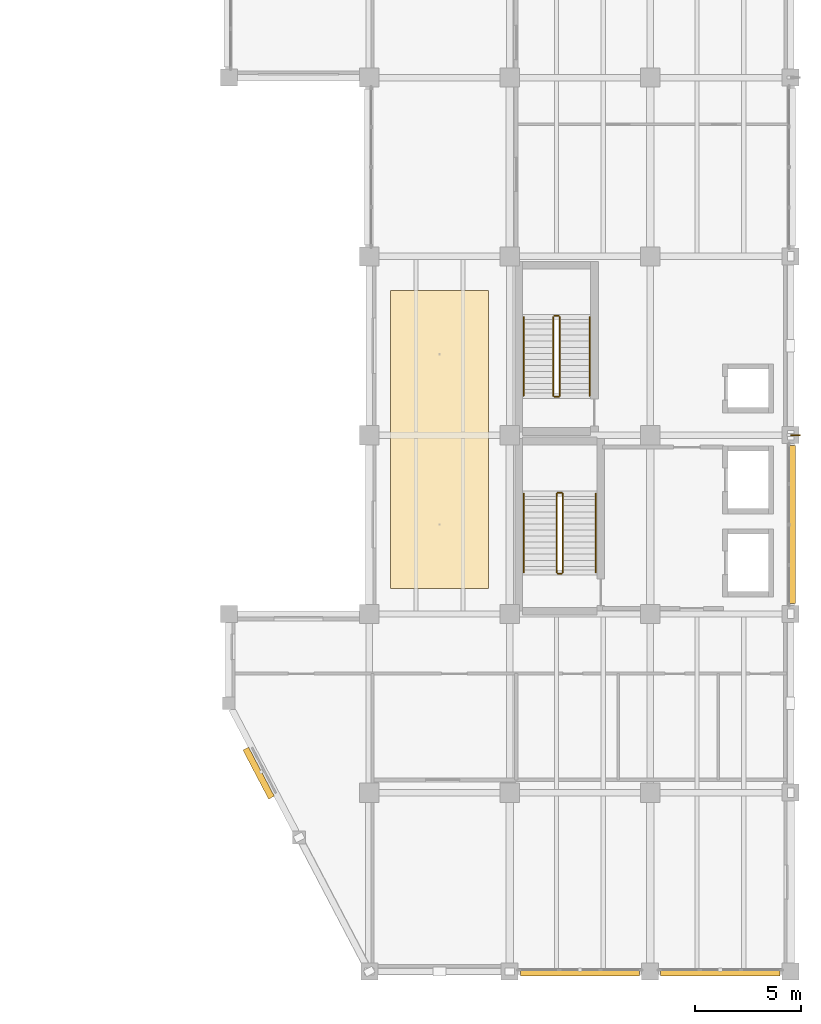
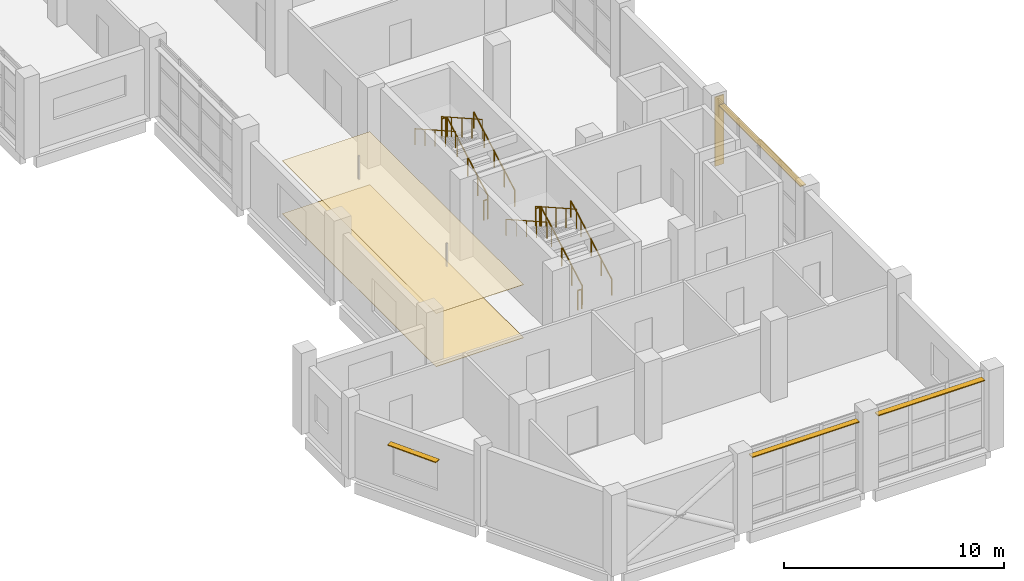
# One storey, part 72 of 76: 12 railings, 5 shading devices, 2 coverings.
"""IFC4 building model written with IfcOpenShell, lengths in metres."""

from ifc_helpers import new_model, si_unit, direction, frame, origin, origin_2d, place, context, subcontext, project, spatial, polyline, rectangle, circle, outline, extrude, material, layer, layer_set, type_object, element, save


model = new_model("IFC4")

# Units and contexts
model_context = context("Model", 3, precision=1e-05, world=origin(), true_north=direction((0.0, 1.0)))
body_context = subcontext(model_context, "Body", "Model", "MODEL_VIEW")
ifc_project = project(units=[si_unit("LENGTHUNIT", "METRE"), si_unit("AREAUNIT", "SQUARE_METRE"), si_unit("VOLUMEUNIT", "CUBIC_METRE"), si_unit("PLANEANGLEUNIT", "RADIAN"), si_unit("MASSUNIT", "GRAM", prefix="KILO")], contexts=[model_context])

# Site, building, storey
site_placement = place(None, origin())
site = spatial("IfcSite", under=ifc_project, at=site_placement, CompositionType="ELEMENT")
building_placement = place(site_placement, origin())
building = spatial("IfcBuilding", under=site, at=building_placement, Name="Qaldarim Faculty of Natural and Applied Sciences", CompositionType="ELEMENT")
storey_placement = place(building_placement, frame((0.0, 0.0, 9.89990234375)))
storey = spatial("IfcBuildingStorey", under=building, at=storey_placement, Name="L02", CompositionType="ELEMENT", Elevation=9.89990234375)

# Covering
ifc_material_1 = material(Name="Acoustic mineral fibre")
ifc_layer_1 = layer(ifc_material_1, 0.02001953125)
ifc_layer_set_1 = layer_set([ifc_layer_1], Name="Acoustic mineral fibre")
covering_type_1 = type_object("IfcCoveringType", Name="AcousticMineralCeiling-20", PredefinedType="CEILING", material=ifc_layer_set_1)
covering_1_placement = place(storey_placement, frame((0.0, 0.0, 2.9501953125)))
element("IfcCovering", 1, at=covering_1_placement, inside=storey, type_object=covering_type_1, Name="Acoustic corridor ceiling L02", PredefinedType="CEILING", context=body_context, shape_type="SweptSolid", body=[
    extrude(outline(polyline([(159.39990234375, 18.0), (164.0, 18.0), (164.0, 32.0), (159.39990234375, 32.0), (159.39990234375, 18.0)])), origin(), (0.0, 0.0, 1.0), 0.02001953125),
])

# Railings
ifc_material_2 = material(Name="Architectural stainless steel 316", Category="steel")
railing_type_1 = type_object("IfcRailingType", Name="GuardBalustrade-1100", PredefinedType="BALUSTRADE", material=ifc_material_2)
railing_1_placement = place(storey_placement, frame((167.5, 18.75, 0.16015625)))
element("IfcRailing", 2, at=railing_1_placement, inside=storey, type_object=railing_type_1, Name="ST-A1 L02 stair well guard 1", PredefinedType="BALUSTRADE", context=body_context, shape_type="SweptSolid", body=[
    extrude(circle(Radius=0.02392578125, at=origin_2d()), frame((0.0, 0.0, 1.076171875), z_axis=(0.0, 0.870998619023, 0.491285462496), x_axis=(-1.0, 0.0, 0.0)), (0.0, 0.0, 1.0), 4.25390625),
    extrude(circle(Radius=0.02099609375, at=origin_2d()), origin(), (0.0, 0.0, 1.0), 1.052001953125),
    extrude(circle(Radius=0.02099609375, at=origin_2d()), frame((0.0, 0.92626953125, 0.5224609375)), (0.0, 0.0, 1.0), 1.052001953125),
    extrude(circle(Radius=0.02099609375, at=origin_2d()), frame((0.0, 1.8525390625, 1.044921875)), (0.0, 0.0, 1.0), 1.052001953125),
    extrude(circle(Radius=0.02099609375, at=origin_2d()), frame((0.0, 2.77880859375, 1.5673828125)), (0.0, 0.0, 1.0), 1.052001953125),
    extrude(circle(Radius=0.02099609375, at=origin_2d()), frame((0.0, 3.705078125, 2.08984375)), (0.0, 0.0, 1.0), 1.052001953125),
])
railing_2_placement = place(storey_placement, frame((167.449951171875, 22.5048828125, 2.25)))
element("IfcRailing", 3, at=railing_2_placement, inside=storey, type_object=railing_type_1, Name="ST-A1 L02 stair well guard 2", PredefinedType="BALUSTRADE", context=body_context, shape_type="SweptSolid", body=[
    extrude(circle(Radius=0.02392578125, at=origin_2d()), frame((0.0, 0.0, 1.076171875), z_axis=(-1.0, 0.0, 0.0), x_axis=(0.0, -1.0, 0.0)), (0.0, 0.0, 1.0), 0.199951171875),
    extrude(circle(Radius=0.02099609375, at=origin_2d()), origin(), (0.0, 0.0, 1.0), 1.052001953125),
    extrude(circle(Radius=0.02099609375, at=origin_2d()), frame((-0.199951171875, 0.0, 0.0)), (0.0, 0.0, 1.0), 1.052001953125),
])
railing_3_placement = place(storey_placement, frame((167.199951171875, 22.455078125, 2.41015625)))
element("IfcRailing", 4, at=railing_3_placement, inside=storey, type_object=railing_type_1, Name="ST-A1 L02 stair well guard 3", PredefinedType="BALUSTRADE", context=body_context, shape_type="SweptSolid", body=[
    extrude(circle(Radius=0.02392578125, at=origin_2d()), frame((0.0, 0.0, 1.076171875), z_axis=(0.0, -0.870998619023, 0.491285462496), x_axis=(1.0, 0.0, 0.0)), (0.0, 0.0, 1.0), 4.25390625),
    extrude(circle(Radius=0.02099609375, at=origin_2d()), origin(), (0.0, 0.0, 1.0), 1.052001953125),
    extrude(circle(Radius=0.02099609375, at=origin_2d()), frame((0.0, -0.92626953125, 0.5224609375)), (0.0, 0.0, 1.0), 1.052001953125),
    extrude(circle(Radius=0.02099609375, at=origin_2d()), frame((0.0, -1.8525390625, 1.044921875)), (0.0, 0.0, 1.0), 1.052001953125),
    extrude(circle(Radius=0.02099609375, at=origin_2d()), frame((0.0, -2.77880859375, 1.5673828125)), (0.0, 0.0, 1.0), 1.052001953125),
    extrude(circle(Radius=0.02099609375, at=origin_2d()), frame((0.0, -3.705078125, 2.08984375)), (0.0, 0.0, 1.0), 1.052001953125),
])
railing_4_placement = place(storey_placement, frame((167.449951171875, 18.699951171875, 0.0)))
element("IfcRailing", 5, at=railing_4_placement, inside=storey, type_object=railing_type_1, Name="ST-A1 L02 stair well guard 4", PredefinedType="BALUSTRADE", context=body_context, shape_type="SweptSolid", body=[
    extrude(circle(Radius=0.02392578125, at=origin_2d()), frame((0.0, 0.0, 1.076171875), z_axis=(-1.0, 0.0, 0.0), x_axis=(0.0, -1.0, 0.0)), (0.0, 0.0, 1.0), 0.199951171875),
    extrude(circle(Radius=0.02099609375, at=origin_2d()), origin(), (0.0, 0.0, 1.0), 1.052001953125),
    extrude(circle(Radius=0.02099609375, at=origin_2d()), frame((-0.199951171875, 0.0, 0.0)), (0.0, 0.0, 1.0), 1.052001953125),
])
railing_5_placement = place(storey_placement, frame((167.35009765625, 27.050048828125, 0.16015625)))
element("IfcRailing", 6, at=railing_5_placement, inside=storey, type_object=railing_type_1, Name="ST-A2 L02 stair well guard 1", PredefinedType="BALUSTRADE", context=body_context, shape_type="SweptSolid", body=[
    extrude(circle(Radius=0.02392578125, at=origin_2d()), frame((0.0, 0.0, 1.076171875), z_axis=(0.0, 0.87098476549, 0.491310022576), x_axis=(-1.0, 0.0, 0.0)), (0.0, 0.0, 1.0), 4.253662109375),
    extrude(circle(Radius=0.02099609375, at=origin_2d()), origin(), (0.0, 0.0, 1.0), 1.052001953125),
    extrude(circle(Radius=0.02099609375, at=origin_2d()), frame((0.0, 0.92626953125, 0.5224609375)), (0.0, 0.0, 1.0), 1.052001953125),
    extrude(circle(Radius=0.02099609375, at=origin_2d()), frame((0.0, 1.8525390625, 1.044921875)), (0.0, 0.0, 1.0), 1.052001953125),
    extrude(circle(Radius=0.02099609375, at=origin_2d()), frame((0.0, 2.778564453125, 1.5673828125)), (0.0, 0.0, 1.0), 1.052001953125),
    extrude(circle(Radius=0.02099609375, at=origin_2d()), frame((0.0, 3.704833984375, 2.08984375)), (0.0, 0.0, 1.0), 1.052001953125),
])
railing_6_placement = place(storey_placement, frame((167.300048828125, 30.804931640625, 2.25)))
element("IfcRailing", 7, at=railing_6_placement, inside=storey, type_object=railing_type_1, Name="ST-A2 L02 stair well guard 2", PredefinedType="BALUSTRADE", context=body_context, shape_type="SweptSolid", body=[
    extrude(circle(Radius=0.02392578125, at=origin_2d()), frame((0.0, 0.0, 1.076171875), z_axis=(-1.0, 0.0, 0.0), x_axis=(0.0, -1.0, 0.0)), (0.0, 0.0, 1.0), 0.199951171875),
    extrude(circle(Radius=0.02099609375, at=origin_2d()), origin(), (0.0, 0.0, 1.0), 1.052001953125),
    extrude(circle(Radius=0.02099609375, at=origin_2d()), frame((-0.199951171875, 0.0, 0.0)), (0.0, 0.0, 1.0), 1.052001953125),
])
railing_7_placement = place(storey_placement, frame((167.050048828125, 30.7548828125, 2.41015625)))
element("IfcRailing", 8, at=railing_7_placement, inside=storey, type_object=railing_type_1, Name="ST-A2 L02 stair well guard 3", PredefinedType="BALUSTRADE", context=body_context, shape_type="SweptSolid", body=[
    extrude(circle(Radius=0.02392578125, at=origin_2d()), frame((0.0, 0.0, 1.076171875), z_axis=(0.0, -0.87098476549, 0.491310022576), x_axis=(1.0, 0.0, 0.0)), (0.0, 0.0, 1.0), 4.253662109375),
    extrude(circle(Radius=0.02099609375, at=origin_2d()), origin(), (0.0, 0.0, 1.0), 1.052001953125),
    extrude(circle(Radius=0.02099609375, at=origin_2d()), frame((0.0, -0.92626953125, 0.5224609375)), (0.0, 0.0, 1.0), 1.052001953125),
    extrude(circle(Radius=0.02099609375, at=origin_2d()), frame((0.0, -1.8525390625, 1.044921875)), (0.0, 0.0, 1.0), 1.052001953125),
    extrude(circle(Radius=0.02099609375, at=origin_2d()), frame((0.0, -2.778564453125, 1.5673828125)), (0.0, 0.0, 1.0), 1.052001953125),
    extrude(circle(Radius=0.02099609375, at=origin_2d()), frame((0.0, -3.704833984375, 2.08984375)), (0.0, 0.0, 1.0), 1.052001953125),
])
railing_8_placement = place(storey_placement, frame((167.300048828125, 27.0, 0.0)))
element("IfcRailing", 9, at=railing_8_placement, inside=storey, type_object=railing_type_1, Name="ST-A2 L02 stair well guard 4", PredefinedType="BALUSTRADE", context=body_context, shape_type="SweptSolid", body=[
    extrude(circle(Radius=0.02392578125, at=origin_2d()), frame((0.0, 0.0, 1.076171875), z_axis=(-1.0, 0.0, 0.0), x_axis=(0.0, -1.0, 0.0)), (0.0, 0.0, 1.0), 0.199951171875),
    extrude(circle(Radius=0.02099609375, at=origin_2d()), origin(), (0.0, 0.0, 1.0), 1.052001953125),
    extrude(circle(Radius=0.02099609375, at=origin_2d()), frame((-0.199951171875, 0.0, 0.0)), (0.0, 0.0, 1.0), 1.052001953125),
])

# Shading devices
ifc_material_3 = material(Name="Champagne anodised aluminium AW-6063", Category="aluminium")
ifc_layer_2 = layer(ifc_material_3, 0.050048828125)
ifc_layer_set_2 = layer_set([ifc_layer_2], Name="Champagne anodised aluminium AW-6063")
shading_device_type_1 = type_object("IfcShadingDeviceType", Name="SolarLouvre-ALU300x50", PredefinedType="JALOUSIE", material=ifc_layer_set_2)
for number, where, z_axis, x_axis, name in (
    (10, (168.300048828125, -0.070068359375, 3.865234375), (0.0, 0.0, 1.0), (1.0, 0.0, 0.0), "Horizontal solar louvre L02 S X26Y01"),
    (11, (174.89990234375, -0.070068359375, 3.865234375), (0.0, 0.0, 1.0), (1.0, 0.0, 0.0), "Horizontal solar louvre L02 S X27Y01"),
):
    element("IfcShadingDevice", number, at=place(storey_placement, frame(where, z_axis=z_axis, x_axis=x_axis)), inside=storey, type_object=shading_device_type_1, Name=name, PredefinedType="JALOUSIE", context=body_context, shape_type="SweptSolid", body=[
        extrude(rectangle(XDim=5.610107421875, YDim=0.300048828125, at=origin_2d()), origin(), (0.0, 0.0, 1.0), 0.050048828125),
    ])
shading_device_1_placement = place(storey_placement, frame((178.27001953125, 21.0, 3.865234375), z_axis=(0.0, 0.0, 1.0), x_axis=(0.0, 1.0, 0.0)))
element("IfcShadingDevice", 12, at=shading_device_1_placement, inside=storey, type_object=shading_device_type_1, Name="Horizontal solar louvre L02 E X27Y03", PredefinedType="JALOUSIE", context=body_context, shape_type="SweptSolid", body=[
    extrude(rectangle(XDim=7.409912109375, YDim=0.300048828125, at=origin_2d()), origin(), (0.0, 0.0, 1.0), 0.050048828125),
])
shading_device_2_placement = place(storey_placement, frame((153.199951171875, 9.320068359375, 2.67529296875), z_axis=(0.0, 0.0, 1.0), x_axis=(0.46447113214, -0.885588260654, 0.0)))
element("IfcShadingDevice", 13, at=shading_device_2_placement, inside=storey, type_object=shading_device_type_1, Name="Oblique facade horizontal solar louvre SHD-OBL-SW-L02-1", PredefinedType="JALOUSIE", context=body_context, shape_type="SweptSolid", body=[
    extrude(rectangle(XDim=2.60009765625, YDim=0.300048828125, at=origin_2d()), origin(), (0.0, 0.0, 1.0), 0.050048828125),
])

# Railings
railing_type_2 = type_object("IfcRailingType", Name="StairHandrail-920", PredefinedType="HANDRAIL", material=ifc_material_2)
railing_9_placement = place(storey_placement, frame((169.050048828125, 18.75, 0.16015625)))
element("IfcRailing", 14, at=railing_9_placement, inside=storey, type_object=railing_type_2, Name="ST-A1 L02 stair handrail 1", PredefinedType="HANDRAIL", context=body_context, shape_type="SweptSolid", body=[
    extrude(circle(Radius=0.02392578125, at=origin_2d()), frame((0.0, 0.0, 0.89599609375), z_axis=(0.0, 0.870998619023, 0.491285462496), x_axis=(-1.0, 0.0, 0.0)), (0.0, 0.0, 1.0), 4.25390625),
    extrude(circle(Radius=0.02099609375, at=origin_2d()), origin(), (0.0, 0.0, 1.0), 0.871826171875),
    extrude(circle(Radius=0.02099609375, at=origin_2d()), frame((0.0, 0.92626953125, 0.5224609375)), (0.0, 0.0, 1.0), 0.871826171875),
    extrude(circle(Radius=0.02099609375, at=origin_2d()), frame((0.0, 1.8525390625, 1.044921875)), (0.0, 0.0, 1.0), 0.871826171875),
    extrude(circle(Radius=0.02099609375, at=origin_2d()), frame((0.0, 2.77880859375, 1.5673828125)), (0.0, 0.0, 1.0), 0.871826171875),
    extrude(circle(Radius=0.02099609375, at=origin_2d()), frame((0.0, 3.705078125, 2.08984375)), (0.0, 0.0, 1.0), 0.871826171875),
])
railing_10_placement = place(storey_placement, frame((165.64990234375, 22.455078125, 2.41015625)))
element("IfcRailing", 15, at=railing_10_placement, inside=storey, type_object=railing_type_2, Name="ST-A1 L02 stair handrail 2", PredefinedType="HANDRAIL", context=body_context, shape_type="SweptSolid", body=[
    extrude(circle(Radius=0.02392578125, at=origin_2d()), frame((0.0, 0.0, 0.89599609375), z_axis=(0.0, -0.870998619023, 0.491285462496), x_axis=(1.0, 0.0, 0.0)), (0.0, 0.0, 1.0), 4.25390625),
    extrude(circle(Radius=0.02099609375, at=origin_2d()), origin(), (0.0, 0.0, 1.0), 0.871826171875),
    extrude(circle(Radius=0.02099609375, at=origin_2d()), frame((0.0, -0.92626953125, 0.5224609375)), (0.0, 0.0, 1.0), 0.871826171875),
    extrude(circle(Radius=0.02099609375, at=origin_2d()), frame((0.0, -1.8525390625, 1.044921875)), (0.0, 0.0, 1.0), 0.871826171875),
    extrude(circle(Radius=0.02099609375, at=origin_2d()), frame((0.0, -2.77880859375, 1.5673828125)), (0.0, 0.0, 1.0), 0.871826171875),
    extrude(circle(Radius=0.02099609375, at=origin_2d()), frame((0.0, -3.705078125, 2.08984375)), (0.0, 0.0, 1.0), 0.871826171875),
])
railing_11_placement = place(storey_placement, frame((168.75, 27.050048828125, 0.16015625)))
element("IfcRailing", 16, at=railing_11_placement, inside=storey, type_object=railing_type_2, Name="ST-A2 L02 stair handrail 1", PredefinedType="HANDRAIL", context=body_context, shape_type="SweptSolid", body=[
    extrude(circle(Radius=0.02392578125, at=origin_2d()), frame((0.0, 0.0, 0.89599609375), z_axis=(0.0, 0.87098476549, 0.491310022576), x_axis=(-1.0, 0.0, 0.0)), (0.0, 0.0, 1.0), 4.253662109375),
    extrude(circle(Radius=0.02099609375, at=origin_2d()), origin(), (0.0, 0.0, 1.0), 0.871826171875),
    extrude(circle(Radius=0.02099609375, at=origin_2d()), frame((0.0, 0.92626953125, 0.5224609375)), (0.0, 0.0, 1.0), 0.871826171875),
    extrude(circle(Radius=0.02099609375, at=origin_2d()), frame((0.0, 1.8525390625, 1.044921875)), (0.0, 0.0, 1.0), 0.871826171875),
    extrude(circle(Radius=0.02099609375, at=origin_2d()), frame((0.0, 2.778564453125, 1.5673828125)), (0.0, 0.0, 1.0), 0.871826171875),
    extrude(circle(Radius=0.02099609375, at=origin_2d()), frame((0.0, 3.704833984375, 2.08984375)), (0.0, 0.0, 1.0), 0.871826171875),
])
railing_12_placement = place(storey_placement, frame((165.64990234375, 30.7548828125, 2.41015625)))
element("IfcRailing", 17, at=railing_12_placement, inside=storey, type_object=railing_type_2, Name="ST-A2 L02 stair handrail 2", PredefinedType="HANDRAIL", context=body_context, shape_type="SweptSolid", body=[
    extrude(circle(Radius=0.02392578125, at=origin_2d()), frame((0.0, 0.0, 0.89599609375), z_axis=(0.0, -0.87098476549, 0.491310022576), x_axis=(1.0, 0.0, 0.0)), (0.0, 0.0, 1.0), 4.253662109375),
    extrude(circle(Radius=0.02099609375, at=origin_2d()), origin(), (0.0, 0.0, 1.0), 0.871826171875),
    extrude(circle(Radius=0.02099609375, at=origin_2d()), frame((0.0, -0.92626953125, 0.5224609375)), (0.0, 0.0, 1.0), 0.871826171875),
    extrude(circle(Radius=0.02099609375, at=origin_2d()), frame((0.0, -1.8525390625, 1.044921875)), (0.0, 0.0, 1.0), 0.871826171875),
    extrude(circle(Radius=0.02099609375, at=origin_2d()), frame((0.0, -2.778564453125, 1.5673828125)), (0.0, 0.0, 1.0), 0.871826171875),
    extrude(circle(Radius=0.02099609375, at=origin_2d()), frame((0.0, -3.704833984375, 2.08984375)), (0.0, 0.0, 1.0), 0.871826171875),
])

# Covering
ifc_material_4 = material(Name="Terrazzo stone finish", Category="masonry")
ifc_layer_3 = layer(ifc_material_4, 0.02490234375)
ifc_layer_set_3 = layer_set([ifc_layer_3], Name="Terrazzo stone finish")
covering_type_2 = type_object("IfcCoveringType", Name="TerrazzoFlooring-25", PredefinedType="FLOORING", material=ifc_layer_set_3)
covering_2_placement = place(storey_placement, origin())
element("IfcCovering", 18, at=covering_2_placement, inside=storey, type_object=covering_type_2, Name="Polished terrazzo corridor flooring L02", PredefinedType="FLOORING", context=body_context, shape_type="SweptSolid", body=[
    extrude(outline(polyline([(159.39990234375, 18.0), (164.0, 18.0), (164.0, 32.0), (159.39990234375, 32.0), (159.39990234375, 18.0)])), origin(), (0.0, 0.0, 1.0), 0.025146484375),
])

# Shading device
ifc_layer_4 = layer(ifc_material_3, 0.06005859375)
ifc_layer_set_4 = layer_set([ifc_layer_4], Name="Champagne anodised aluminium AW-6063")
shading_device_type_2 = type_object("IfcShadingDeviceType", Name="VerticalSunFin-ALU450x60", PredefinedType="SHUTTER", material=ifc_layer_set_4)
shading_device_3_placement = place(storey_placement, frame((178.425048828125, 25.199951171875, 0.2001953125), z_axis=(0.0, 0.0, 1.0), x_axis=(1.0, 0.0, 0.0)))
element("IfcShadingDevice", 19, at=shading_device_3_placement, inside=storey, type_object=shading_device_type_2, Name="Vertical solar fin FIN-L02-X28Y04", PredefinedType="SHUTTER", context=body_context, shape_type="SweptSolid", body=[
    extrude(rectangle(XDim=0.449951171875, YDim=0.06005859375, at=origin_2d()), origin(), (0.0, 0.0, 1.0), 3.840087890625),
])

save(model, "model.ifc")
